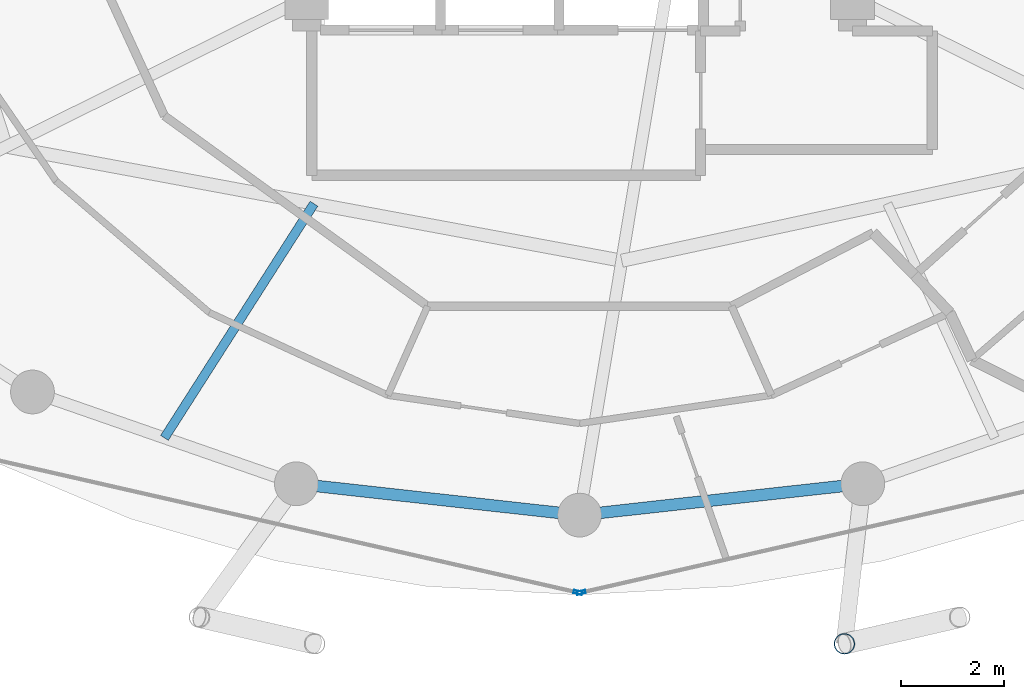
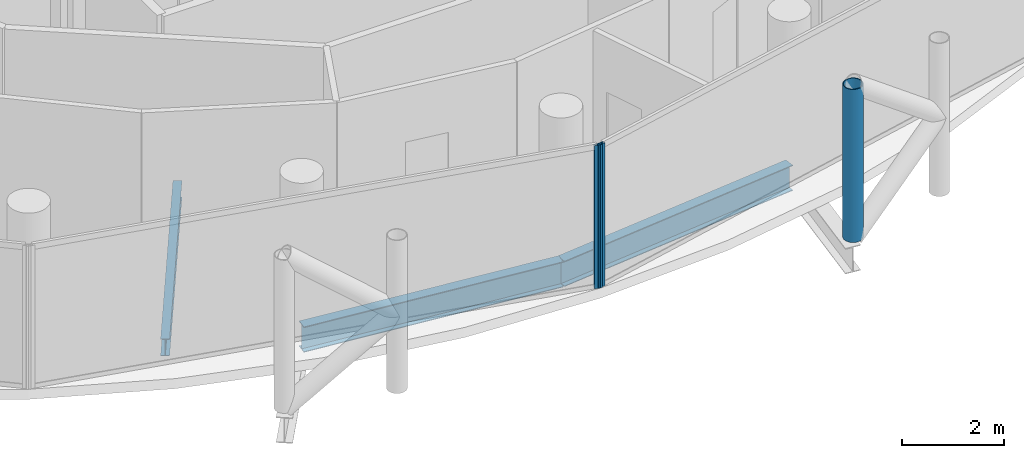
# One storey, part 5 of 27: 3 beams, 3 members, 2 elements without a shape of their own.
"""IFC4 building model written with IfcOpenShell, lengths in metres."""

import ifcopenshell
import ifcopenshell.guid

model = None  # the IFC model being written
_history = None  # IfcOwnerHistory: only IFC2X3 demands one
_inside = {}  # id of a spatial element -> (the spatial element, [elements in it])
_under = {}  # id of a project, library or spatial element -> (it, [spatial elements below it])
_declared = {}  # id of a project -> (the project, [libraries it declares])
_typed = {}  # id of a type object -> (the type object, [elements of that type])
_made_of = {}  # id of a material, layer set ... -> (it, [elements and type objects made of it])


def new_model(schema):
    """Start an empty IFC model of exactly this schema.

    Asked for "IFC4X3", IfcOpenShell would pick the latest addendum, in which some entities
    have other attributes; the version numbers below select the first issue.
    IFC2X3 requires an IfcOwnerHistory on every rooted entity: one is made here for all.
    """
    global model, _history
    if schema == "IFC4X3":
        model = ifcopenshell.file(schema_version=(4, 3, 0, 0))
    else:
        model = ifcopenshell.file(schema=schema)
    _inside.clear()
    _under.clear()
    _declared.clear()
    _typed.clear()
    _made_of.clear()
    _history = None
    if model.schema == "IFC2X3":
        org = make("IfcOrganization", Name="unknown")
        user = make(
            "IfcPersonAndOrganization",
            ThePerson=make("IfcPerson", FamilyName="unknown"),
            TheOrganization=org,
        )
        app = make(
            "IfcApplication",
            ApplicationDeveloper=org,
            Version="unknown",
            ApplicationFullName="unknown",
            ApplicationIdentifier="unknown",
        )
        _history = make(
            "IfcOwnerHistory",
            OwningUser=user,
            OwningApplication=app,
            ChangeAction="ADDED",
            CreationDate=0,
        )
    return model


def make(cls, **values):
    """One entity of the class cls with the attributes given. An attribute that is None is left unset."""
    return model.create_entity(
        cls, **{name: value for name, value in values.items() if value is not None}
    )


def rooted(cls, **values):
    """An entity with a GlobalId (a new one), such as an element, a storey or a relation."""
    return make(cls, GlobalId=ifcopenshell.guid.new(), OwnerHistory=_history, **values)


def si_unit(unit_type, name, prefix=None):
    """IfcSIUnit, for example si_unit("LENGTHUNIT", "METRE", prefix="MILLI")."""
    return make("IfcSIUnit", UnitType=unit_type, Prefix=prefix, Name=name)


def assignment(units):
    """IfcUnitAssignment: the units of a project."""
    return None if units is None else make("IfcUnitAssignment", Units=units)


def point(xyz):
    """IfcCartesianPoint."""
    return None if xyz is None else make("IfcCartesianPoint", Coordinates=xyz)


def direction(xyz):
    """IfcDirection."""
    return None if xyz is None else make("IfcDirection", DirectionRatios=xyz)


def frame(location, z_axis=None, x_axis=None):
    """IfcAxis2Placement3D, a coordinate frame: its origin and axes. An axis left out is left unset."""
    return make(
        "IfcAxis2Placement3D",
        Location=point(location),
        Axis=direction(z_axis),
        RefDirection=direction(x_axis),
    )


def frame_2d(location, x_axis=None):
    """IfcAxis2Placement2D, a coordinate frame in the plane: its origin and x axis."""
    return make(
        "IfcAxis2Placement2D", Location=point(location), RefDirection=direction(x_axis)
    )


def origin():
    """The frame at (0, 0, 0) with its axes left unset."""
    return frame((0.0, 0.0, 0.0))


def origin_2d():
    """The frame at (0, 0) in the plane with its x axis left unset."""
    return frame_2d((0.0, 0.0))


def place(relative_to, where):
    """IfcLocalPlacement: puts the frame where relative to a parent placement (None: the world)."""
    return make(
        "IfcLocalPlacement", PlacementRelTo=relative_to, RelativePlacement=where
    )


def context(
    kind, dimensions, precision=None, world=None, true_north=None, identifier=None
):
    """IfcGeometricRepresentationContext, for example the 3D "Model" context."""
    return make(
        "IfcGeometricRepresentationContext",
        ContextIdentifier=identifier,
        ContextType=kind,
        CoordinateSpaceDimension=dimensions,
        Precision=precision,
        WorldCoordinateSystem=world,
        TrueNorth=true_north,
    )


def subcontext(parent, identifier, kind, view, scale=None):
    """IfcGeometricRepresentationSubContext, for example "Body" below "Model"."""
    return make(
        "IfcGeometricRepresentationSubContext",
        ContextIdentifier=identifier,
        ContextType=kind,
        ParentContext=parent,
        TargetScale=scale,
        TargetView=view,
    )


def project(units=None, contexts=None):
    """IfcProject with its units and contexts."""
    return rooted(
        "IfcProject",
        Name="project",
        RepresentationContexts=contexts,
        UnitsInContext=assignment(units),
    )


def spatial(cls, under=None, at=None, **own):
    """A site, building, storey or space (cls), placed at a placement, below another one or the project."""
    s = rooted(cls, ObjectPlacement=at, **own)
    if under is not None:
        _under.setdefault(under.id(), (under, []))[1].append(s)
    return s


def profile(cls, at=None, kind="AREA", **sizes):
    """A parametric profile (cls). Its sizes go by their IFC names, for example OverallWidth=200.0."""
    return make(cls, ProfileType=kind, Position=at, **sizes)


def hollow_rectangle(**sizes):
    """IfcRectangleHollowProfileDef."""
    return profile("IfcRectangleHollowProfileDef", **sizes)


def hollow_circle(**sizes):
    """IfcCircleHollowProfileDef."""
    return profile("IfcCircleHollowProfileDef", **sizes)


def i_section(**sizes):
    """IfcIShapeProfileDef."""
    return profile("IfcIShapeProfileDef", **sizes)


def extrude(swept, where, along, depth):
    """IfcExtrudedAreaSolid: the profile swept, set in the frame where, extruded along a direction by depth."""
    return make(
        "IfcExtrudedAreaSolid",
        SweptArea=swept,
        Position=where,
        ExtrudedDirection=direction(along),
        Depth=depth,
    )


def shape(context_of_items, identifier, shape_type, items):
    """IfcShapeRepresentation: the items that make up one representation, for example the "Body"."""
    return make(
        "IfcShapeRepresentation",
        ContextOfItems=context_of_items,
        RepresentationIdentifier=identifier,
        RepresentationType=shape_type,
        Items=items,
    )


def material(Name=None, Category=None):
    """IfcMaterial."""
    return make("IfcMaterial", Name=Name, Category=Category)


def layer(
    of_material, thickness, ventilated=None, Name=None, Category=None, Priority=None
):
    """IfcMaterialLayer: one layer of a wall or slab, of a material (None: an air gap)."""
    return make(
        "IfcMaterialLayer",
        Material=of_material,
        LayerThickness=thickness,
        IsVentilated=ventilated,
        Name=Name,
        Category=Category,
        Priority=Priority,
    )


def layer_set(layers, Name=None):
    """IfcMaterialLayerSet."""
    return make("IfcMaterialLayerSet", MaterialLayers=layers, LayerSetName=Name)


def material_profile(
    of_material, cross_section, Name=None, Category=None, Priority=None
):
    """IfcMaterialProfile: a cross section and its material."""
    return make(
        "IfcMaterialProfile",
        Name=Name,
        Material=of_material,
        Profile=cross_section,
        Priority=Priority,
        Category=Category,
    )


def profile_set(profiles, Name=None, composite=None):
    """IfcMaterialProfileSet."""
    return make(
        "IfcMaterialProfileSet",
        Name=Name,
        MaterialProfiles=profiles,
        CompositeProfile=composite,
    )


def made_of(thing, what):
    """Note that an element or type object is made of a material, layer set ...; save() writes the relation."""
    if what is not None:
        _made_of.setdefault(what.id(), (what, []))[1].append(thing)
    return thing


def type_object(cls, material=None, **own):
    """A type object (cls), such as IfcWallType, which elements share."""
    return made_of(rooted(cls, **own), material)


def element(
    cls,
    number,
    at=None,
    inside=None,
    cuts=None,
    type_object=None,
    material=None,
    context=None,
    identifier="Body",
    shape_type=None,
    held_by="IfcProductDefinitionShape",
    body=None,
    shapes=None,
    **own,
):
    """One element of the class cls, such as IfcWall. Its Tag is "e" and its number.

    at: its placement. inside: the storey or other place that contains it. cuts: it is an
    opening in that element (IfcRelVoidsElement). A single representation is given by context,
    identifier, shape_type and body (its items); several are given by shapes. held_by: the class
    of the entity that holds the representations. save() writes the other relations.
    """
    e = rooted(cls, Tag="e%d" % number, ObjectPlacement=at, **own)
    if body is not None:
        shapes = [shape(context, identifier, shape_type, body)]
    if shapes is not None:
        e.Representation = make(held_by, Representations=shapes)
    if inside is not None:
        _inside.setdefault(inside.id(), (inside, []))[1].append(e)
    if cuts is not None:
        rooted(
            "IfcRelVoidsElement", RelatingBuildingElement=cuts, RelatedOpeningElement=e
        )
    if type_object is not None:
        _typed.setdefault(type_object.id(), (type_object, []))[1].append(e)
    return made_of(e, material)


def aggregate(whole, parts):
    """IfcRelAggregates: a whole, such as a stair, and the parts it consists of."""
    return rooted("IfcRelAggregates", RelatingObject=whole, RelatedObjects=parts)


def save(model, path):
    """Write the relations noted so far, then the file.

    IfcRelAggregates (storeys below a building ...), IfcRelContainedInSpatialStructure (elements
    in a storey), IfcRelDefinesByType, IfcRelAssociatesMaterial and IfcRelDeclares: one each for
    every whole, place, type object, material and project.
    """
    for whole, parts in _under.values():
        aggregate(whole, parts)
    for where, things in _inside.values():
        rooted(
            "IfcRelContainedInSpatialStructure",
            RelatedElements=things,
            RelatingStructure=where,
        )
    for kind, things in _typed.values():
        rooted("IfcRelDefinesByType", RelatedObjects=things, RelatingType=kind)
    for what, things in _made_of.values():
        rooted("IfcRelAssociatesMaterial", RelatedObjects=things, RelatingMaterial=what)
    for by, libraries in _declared.values():
        rooted("IfcRelDeclares", RelatingContext=by, RelatedDefinitions=libraries)
    model.write(path)


model = new_model("IFC4")

# Units and contexts
model_context = context("Model", 3, precision=1e-05, world=origin(), true_north=direction((0.0, 1.0)))
body_context = subcontext(model_context, "Body", "Model", "MODEL_VIEW")
ifc_project = project(units=[si_unit("LENGTHUNIT", "METRE"), si_unit("AREAUNIT", "SQUARE_METRE"), si_unit("VOLUMEUNIT", "CUBIC_METRE"), si_unit("PLANEANGLEUNIT", "RADIAN"), si_unit("MASSUNIT", "GRAM", prefix="KILO")], contexts=[model_context])

# Site, building, storey
site_placement = place(None, origin())
site = spatial("IfcSite", under=ifc_project, at=site_placement, CompositionType="ELEMENT")
building_placement = place(site_placement, origin())
building = spatial("IfcBuilding", under=site, at=building_placement, Name="Nuhasar Tower", CompositionType="ELEMENT")
storey_placement = place(building_placement, frame((0.0, 0.0, 226.39990234375)))
storey = spatial("IfcBuildingStorey", under=building, at=storey_placement, Name="L55", CompositionType="ELEMENT", Elevation=226.39990234375)

# Beams
ifc_material_1 = material(Name="Steel S355", Category="steel")
ifc_material_profile_1 = material_profile(ifc_material_1, i_section(OverallWidth=0.177978515625, OverallDepth=0.406005859375, WebThickness=0.0078125, FlangeThickness=0.0126953125, at=origin_2d()), Name="W16X40")
ifc_profile_set_1 = profile_set([ifc_material_profile_1], Name="Steel S355")
beam_type_1 = type_object("IfcBeamType", Name="BM-JST-W16X40", PredefinedType="JOIST", material=ifc_profile_set_1)
beam_placement = place(storey_placement, frame((33.842041015625, 14.998046875, -0.44287109375), z_axis=(-0.538168818546, -0.842837067733, 0.0), x_axis=(0.842837067733, -0.538168818546, 0.0)))
element("IfcBeam", 1, at=beam_placement, inside=storey, type_object=beam_type_1, Name="L55 Secondary Floor Joist 01", PredefinedType="JOIST", context=body_context, shape_type="SweptSolid", body=[
    extrude(i_section(OverallWidth=0.177978515625, OverallDepth=0.406005859375, WebThickness=0.0078125, FlangeThickness=0.0126953125, at=origin_2d()), origin(), (0.0, 0.0, 1.0), 5.396240234375),
])
ifc_material_profile_2 = material_profile(ifc_material_1, i_section(OverallWidth=0.22802734375, OverallDepth=0.60791015625, WebThickness=0.01123046875, FlangeThickness=0.017333984375, at=origin_2d()), Name="W24X76")
ifc_profile_set_2 = profile_set([ifc_material_profile_2], Name="Steel S355")
beam_type_2 = type_object("IfcBeamType", Name="BM-RING-W24X76", PredefinedType="SPANDREL", material=ifc_profile_set_2)
for number, where, z_axis, x_axis, name in (
    (2, (33.5, 9.55810546875, -0.5439453125), (0.993942242238, -0.109903680993, 0.0), (0.109903680993, 0.993942242238, 0.0), "L55 Perimeter Ring Spandrel 18"),
    (3, (39.0, 8.949951171875, -0.5439453125), (0.993942242238, 0.109903680993, 0.0), (-0.109903680993, 0.993942242238, 0.0), "L55 Perimeter Ring Spandrel 19"),
):
    element("IfcBeam", number, at=place(storey_placement, frame(where, z_axis=z_axis, x_axis=x_axis)), inside=storey, type_object=beam_type_2, Name=name, PredefinedType="SPANDREL", context=body_context, shape_type="SweptSolid", body=[
        extrude(i_section(OverallWidth=0.22802734375, OverallDepth=0.60791015625, WebThickness=0.01123046875, FlangeThickness=0.017333984375, at=origin_2d()), origin(), (0.0, 0.0, 1.0), 5.533447265625),
    ])

# Curtain wall, member
ifc_material_2 = material(Name="Aluminium 6063-T6", Category="aluminium")
ifc_layer = layer(ifc_material_2, 0.18994140625)
ifc_layer_set = layer_set([ifc_layer], Name="Aluminium 6063-T6")
curtain_wall_type = type_object("IfcCurtainWallType", Name="CW-Z3-RES", PredefinedType="NOTDEFINED", material=ifc_layer_set)
curtain_wall_1_placement = place(storey_placement, origin())
curtain_wall_1 = element("IfcCurtainWall", 4, at=curtain_wall_1_placement, inside=storey, type_object=curtain_wall_type, Name="L55 Unitised Curtain Wall 09", PredefinedType="NOTDEFINED")
ifc_material_profile_3 = material_profile(ifc_material_2, hollow_rectangle(XDim=0.06494140625, YDim=0.169921875, WallThickness=0.0048828125, at=origin_2d()), Name="CWM-4")
ifc_profile_set_3 = profile_set([ifc_material_profile_3], Name="Aluminium 6063-T6")
member_type_1 = type_object("IfcMemberType", Name="CW-MUL-S4", PredefinedType="MULLION", material=ifc_profile_set_3)
member_1_placement = place(storey_placement, frame((38.96826171875, 7.447265625, 0.0), z_axis=(0.0, 0.0, 1.0), x_axis=(0.222243176313, 0.974991266926, 0.0)))
member_1 = element("IfcMember", 5, at=member_1_placement, type_object=member_type_1, Name="CW-Z3 mullion 2", PredefinedType="MULLION", context=body_context, shape_type="SweptSolid", body=[
    extrude(hollow_rectangle(XDim=0.06494140625, YDim=0.169921875, WallThickness=0.0048828125, at=origin_2d()), origin(), (0.0, 0.0, 1.0), 3.41015625),
])
aggregate(curtain_wall_1, [member_1])

curtain_wall_2_placement = place(storey_placement, origin())
curtain_wall_2 = element("IfcCurtainWall", 6, at=curtain_wall_2_placement, inside=storey, type_object=curtain_wall_type, Name="L55 Unitised Curtain Wall 10", PredefinedType="NOTDEFINED")
member_2_placement = place(storey_placement, frame((39.03173828125, 7.447265625, 0.0), z_axis=(0.0, 0.0, 1.0), x_axis=(-0.222243176313, 0.974991266926, 0.0)))
member_2 = element("IfcMember", 7, at=member_2_placement, type_object=member_type_1, Name="CW-Z3 mullion 1", PredefinedType="MULLION", context=body_context, shape_type="SweptSolid", body=[
    extrude(hollow_rectangle(XDim=0.06494140625, YDim=0.169921875, WallThickness=0.0048828125, at=origin_2d()), origin(), (0.0, 0.0, 1.0), 3.41015625),
])
aggregate(curtain_wall_2, [member_2])

# Member
ifc_material_3 = material(Name="Steel S460", Category="steel")
ifc_material_profile_4 = material_profile(ifc_material_3, hollow_circle(Radius=0.203125, WallThickness=0.01904296875, at=origin_2d()), Name="HSS406.4X19.1")
ifc_profile_set_4 = profile_set([ifc_material_profile_4], Name="Steel S460")
member_type_2 = type_object("IfcMemberType", Name="EXO-BRONZE-406", PredefinedType="BRACE", material=ifc_profile_set_4)
member_3_placement = place(storey_placement, frame((44.14306640625, 6.450927734375, 0.0), z_axis=(0.0, 0.0, 1.0), x_axis=(1.0, 0.0, 0.0)))
element("IfcMember", 8, at=member_3_placement, inside=storey, type_object=member_type_2, Name="L55 Exoskeleton Chord Column EC-10A", PredefinedType="BRACE", context=body_context, shape_type="SweptSolid", body=[
    extrude(hollow_circle(Radius=0.203125, WallThickness=0.01904296875, at=origin_2d()), origin(), (0.0, 0.0, 1.0), 3.650146484375),
])

save(model, "model.ifc")
